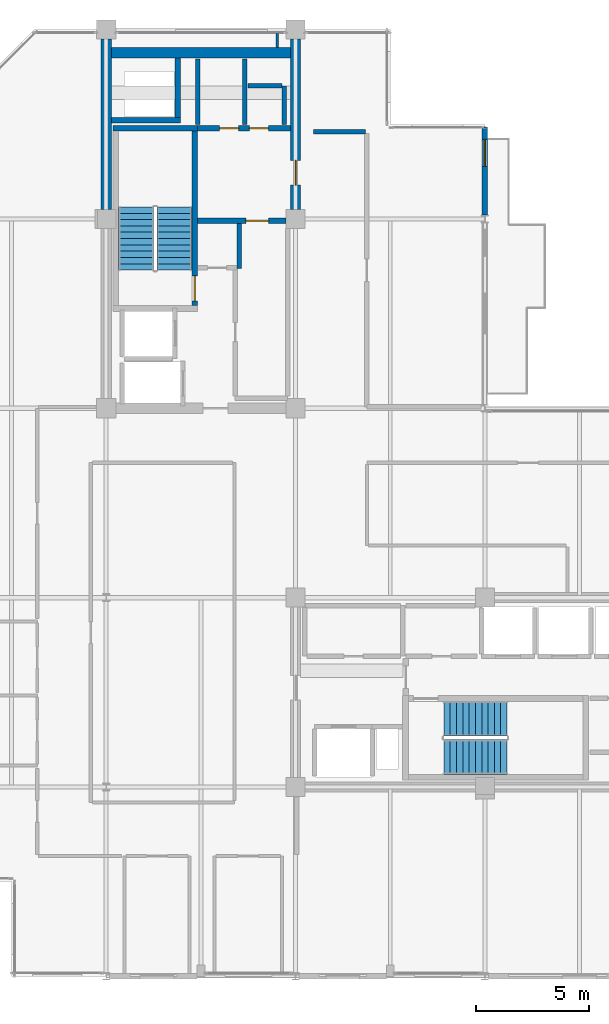
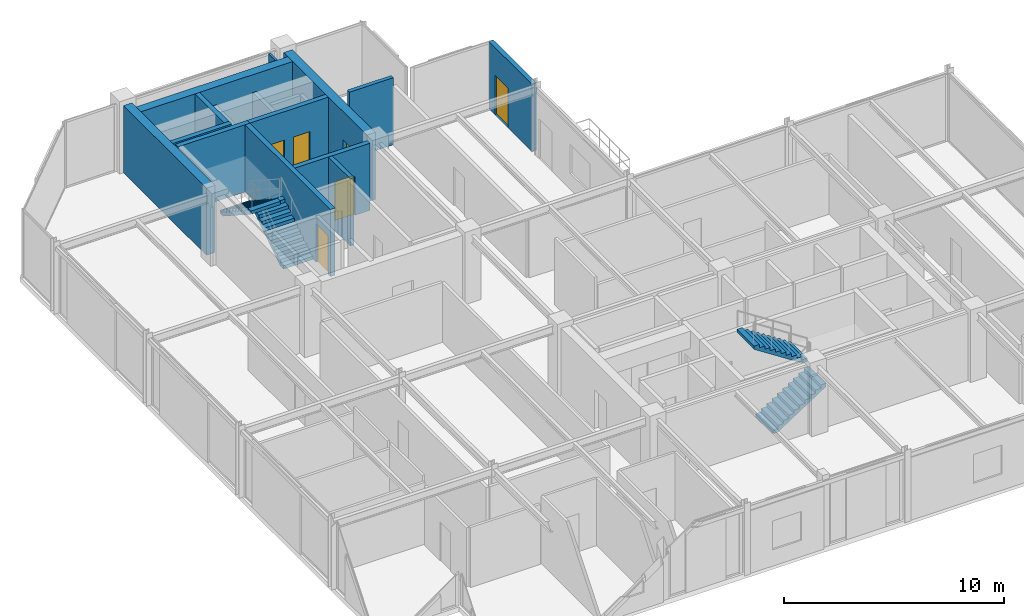
# One storey, part 23 of 26: 17 walls, 6 doors, 4 stair flights, 6 openings, 2 elements without a shape of their own.
"""IFC4 building model written with IfcOpenShell, lengths in metres."""

from ifc_helpers import new_model, si_unit, direction, frame, frame_2d, origin, place, context, subcontext, project, spatial, polyline, rectangle, outline, extrude, material, layer, layer_set, type_object, element, fill, aggregate, save


model = new_model("IFC4")

# Units and contexts
model_context = context("Model", 3, precision=1e-05, world=origin(), true_north=direction((0.0, 1.0)))
body_context = subcontext(model_context, "Body", "Model", "MODEL_VIEW")
ifc_project = project(units=[si_unit("LENGTHUNIT", "METRE"), si_unit("AREAUNIT", "SQUARE_METRE"), si_unit("VOLUMEUNIT", "CUBIC_METRE"), si_unit("PLANEANGLEUNIT", "RADIAN"), si_unit("MASSUNIT", "GRAM", prefix="KILO")], contexts=[model_context])

# Site, building, storey
site_placement = place(None, origin())
site = spatial("IfcSite", under=ifc_project, at=site_placement, CompositionType="ELEMENT")
building_placement = place(site_placement, origin())
building = spatial("IfcBuilding", under=site, at=building_placement, Name="Nerrivon Quay Data Exchange", CompositionType="ELEMENT")
storey_placement = place(building_placement, frame((0.0, 0.0, 274.199951171875)))
storey = spatial("IfcBuildingStorey", under=building, at=storey_placement, Name="L65", CompositionType="ELEMENT", Elevation=274.199951171875)

# Wall, opening, door
ifc_material_1 = material(Name="Architectural terracotta precast concrete N50 (50 MPa)", Category="masonry")
ifc_layer_1 = layer(ifc_material_1, 0.239990234375)
ifc_layer_set_1 = layer_set([ifc_layer_1], Name="Architectural terracotta precast concrete N50 (50 MPa)")
wall_type_1 = type_object("IfcWallType", Name="EW-PREC-240", PredefinedType="STANDARD", material=ifc_layer_set_1)
wall_1_placement = place(storey_placement, frame((25.199951171875, 37.679931640625, 0.0), z_axis=(0.0, 0.0, 1.0), x_axis=(0.0, -1.0, 0.0)))
wall_1 = element("IfcWall", 1, at=wall_1_placement, inside=storey, type_object=wall_type_1, Name="L65 Terrace Host Wall 22", PredefinedType="STANDARD", context=body_context, shape_type="SweptSolid", body=[
    extrude(rectangle(XDim=3.91650390625, YDim=0.239990234375, at=frame_2d((1.958251953125, 0.0))), origin(), (0.0, 0.0, 1.0), 3.72509765625),
])
opening_1_placement = place(wall_1_placement, frame((0.550048828125, 0.0, 0.0)))
opening_1 = element("IfcOpeningElement", 2, at=opening_1_placement, cuts=wall_1, Name="Opening TD1", PredefinedType="OPENING", context=body_context, shape_type="SweptSolid", body=[
    extrude(rectangle(XDim=1.199951171875, YDim=2.199951171875, at=frame_2d((0.60009765625, 1.10009765625))), frame((0.0, 0.1298828125, 0.0), z_axis=(0.0, -1.0, 0.0), x_axis=(1.0, 0.0, 0.0)), (0.0, 0.0, 1.0), 0.260009765625),
])
ifc_material_2 = material(Name="Double-glazed low-E solar control glass", Category="glass")
door_type_1 = type_object("IfcDoorType", Name="DR-TERR-1200x2200", OperationType="NOTDEFINED", PredefinedType="DOOR", material=ifc_material_2)
door_1_placement = place(opening_1_placement, origin())
door_1 = element("IfcDoor", 3, at=door_1_placement, inside=storey, type_object=door_type_1, Name="L65 Outdoor Terrace Access Door 22", OperationType="SINGLE_SWING_LEFT", OverallHeight=2.199951171875, OverallWidth=1.199951171875, PredefinedType="DOOR", context=body_context, shape_type="SweptSolid", body=[
    extrude(rectangle(XDim=1.199951171875, YDim=2.199951171875, at=frame_2d((0.60009765625, 1.10009765625))), frame((0.0, 0.02490234375, 0.0), z_axis=(0.0, -1.0, 0.0), x_axis=(1.0, 0.0, 0.0)), (0.0, 0.0, 1.0), 0.050048828125),
])
fill(opening_1, door_1)

# Walls
ifc_material_3 = material(Name="Concrete N50 (50 MPa)", Category="concrete")
ifc_layer_2 = layer(ifc_material_3, 0.449951171875)
ifc_layer_set_2 = layer_set([ifc_layer_2], Name="Concrete N50 (50 MPa)")
wall_type_2 = type_object("IfcWallType", Name="WALL-CW-550", PredefinedType="SHEAR", material=ifc_layer_set_2)
wall_2_placement = place(storey_placement, frame((8.39990234375, 34.02490234375, 0.0), z_axis=(0.0, 0.0, 1.0), x_axis=(0.0, 1.0, 0.0)))
element("IfcWall", 4, at=wall_2_placement, inside=storey, type_object=wall_type_2, Name="L65 West Split-Core Shear Wall WCW-W2", PredefinedType="SHEAR", context=body_context, shape_type="SweptSolid", body=[
    extrude(rectangle(XDim=7.550048828125, YDim=0.449951171875, at=frame_2d((3.77490234375, 0.0))), origin(), (0.0, 0.0, 1.0), 3.72509765625),
])
wall_3_placement = place(storey_placement, frame((8.625, 40.97509765625, 0.0), z_axis=(0.0, 0.0, 1.0), x_axis=(1.0, 0.0, 0.0)))
element("IfcWall", 5, at=wall_3_placement, inside=storey, type_object=wall_type_2, Name="L65 West Split-Core Shear Wall WCW-N1", PredefinedType="SHEAR", context=body_context, shape_type="SweptSolid", body=[
    extrude(rectangle(XDim=7.949951171875, YDim=0.449951171875, at=frame_2d((3.97509765625, 0.0))), origin(), (0.0, 0.0, 1.0), 3.72509765625),
])

# Wall, opening, door
wall_4_placement = place(storey_placement, frame((16.800048828125, 34.02490234375, 0.0), z_axis=(0.0, 0.0, 1.0), x_axis=(0.0, 1.0, 0.0)))
wall_4 = element("IfcWall", 6, at=wall_4_placement, inside=storey, type_object=wall_type_2, Name="L65 West Split-Core Shear Wall WCW-E1", PredefinedType="SHEAR", context=body_context, shape_type="SweptSolid", body=[
    extrude(rectangle(XDim=7.550048828125, YDim=0.449951171875, at=frame_2d((3.77490234375, 0.0))), origin(), (0.0, 0.0, 1.0), 3.72509765625),
])
opening_2_placement = place(wall_4_placement, frame((1.074951171875, 0.0, 0.0)))
opening_2 = element("IfcOpeningElement", 7, at=opening_2_placement, cuts=wall_4, Name="Opening FD-120", PredefinedType="OPENING", context=body_context, shape_type="SweptSolid", body=[
    extrude(rectangle(XDim=1.10009765625, YDim=2.14990234375, at=frame_2d((0.550048828125, 1.074951171875))), frame((0.0, 0.23486328125, 0.0), z_axis=(0.0, -1.0, 0.0), x_axis=(1.0, 0.0, 0.0)), (0.0, 0.0, 1.0), 0.469970703125),
])
ifc_material_4 = material(Name="Powder-coated galvanized steel sheet", Category="steel")
door_type_2 = type_object("IfcDoorType", Name="DR-FD120-1100", OperationType="NOTDEFINED", PredefinedType="DOOR", material=ifc_material_4)
door_2_placement = place(opening_2_placement, origin())
door_2 = element("IfcDoor", 8, at=door_2_placement, inside=storey, type_object=door_type_2, Name="L65 West Core Lobby Fire Door", OperationType="SINGLE_SWING_LEFT", OverallHeight=2.14990234375, OverallWidth=1.10009765625, PredefinedType="DOOR", context=body_context, shape_type="SweptSolid", body=[
    extrude(rectangle(XDim=1.10009765625, YDim=2.14990234375, at=frame_2d((0.550048828125, 1.074951171875))), frame((0.0, 0.02490234375, 0.0), z_axis=(0.0, -1.0, 0.0), x_axis=(1.0, 0.0, 0.0)), (0.0, 0.0, 1.0), 0.050048828125),
])
fill(opening_2, door_2)

# Walls
ifc_material_5 = material(Name="Gypsum plasterboard on cold-formed framing", Category="gypsum")
ifc_layer_3 = layer(ifc_material_5, 0.199951171875)
ifc_layer_set_3 = layer_set([ifc_layer_3], Name="Gypsum plasterboard on cold-formed framing")
wall_type_3 = type_object("IfcWallType", Name="WALL-FW-200", PredefinedType="PARTITIONING", material=ifc_layer_set_3)
wall_5_placement = place(storey_placement, frame((14.300048828125, 33.39111328125, 0.0), z_axis=(0.0, 0.0, 1.0), x_axis=(0.0, -1.0, 0.0)))
element("IfcWall", 9, at=wall_5_placement, inside=storey, type_object=wall_type_3, Name="L65 Partition Core Equipment Store", PredefinedType="PARTITIONING", context=body_context, shape_type="SweptSolid", body=[
    extrude(rectangle(XDim=1.9912109375, YDim=0.199951171875, at=frame_2d((0.99560546875, 0.0))), origin(), (0.0, 0.0, 1.0), 3.72509765625),
])
for number, where, z_axis, x_axis, name in (
    (10, (14.550048828125, 37.780029296875, 0.0), (0.0, 0.0, 1.0), (0.0, 1.0, 0.0), "L65 Partition Electrical Switchboard Closet"),
    (11, (12.449951171875, 40.699951171875, 0.0), (0.0, 0.0, 1.0), (0.0, -1.0, 0.0), "L65 Partition Electrical Switchboard Closet"),
):
    element("IfcWall", number, at=place(storey_placement, frame(where, z_axis=z_axis, x_axis=x_axis)), inside=storey, type_object=wall_type_3, Name=name, PredefinedType="PARTITIONING", context=body_context, shape_type="SweptSolid", body=[
        extrude(rectangle(XDim=2.919921875, YDim=0.199951171875, at=frame_2d((1.4599609375, 0.0))), origin(), (0.0, 0.0, 1.0), 2.775146484375),
    ])
wall_6_placement = place(storey_placement, frame((16.300048828125, 37.780029296875, 0.0), z_axis=(0.0, 0.0, 1.0), x_axis=(0.0, 1.0, 0.0)))
element("IfcWall", 12, at=wall_6_placement, inside=storey, type_object=wall_type_3, Name="L65 Partition Janitor Closet", PredefinedType="PARTITIONING", context=body_context, shape_type="SweptSolid", body=[
    extrude(rectangle(XDim=1.719970703125, YDim=0.199951171875, at=frame_2d((0.85986328125, 0.0))), origin(), (0.0, 0.0, 1.0), 2.775146484375),
])
wall_7_placement = place(storey_placement, frame((16.196044921875, 39.5, 0.0), z_axis=(0.0, 0.0, 1.0), x_axis=(-1.0, 0.0, 0.0)))
element("IfcWall", 13, at=wall_7_placement, inside=storey, type_object=wall_type_3, Name="L65 Partition Janitor Closet", PredefinedType="PARTITIONING", context=body_context, shape_type="SweptSolid", body=[
    extrude(rectangle(XDim=1.506103515625, YDim=0.199951171875, at=frame_2d((0.7529296875, 0.0))), origin(), (0.0, 0.0, 1.0), 2.775146484375),
])
wall_8_placement = place(storey_placement, frame((17.60009765625, 37.4599609375, 0.0), z_axis=(0.0, 0.0, 1.0), x_axis=(1.0, 0.0, 0.0)))
element("IfcWall", 14, at=wall_8_placement, inside=storey, type_object=wall_type_3, Name="L65 Partition Colocation Data Workspace 1", PredefinedType="PARTITIONING", context=body_context, shape_type="SweptSolid", body=[
    extrude(rectangle(XDim=2.2998046875, YDim=0.199951171875, at=frame_2d((1.14990234375, 0.0))), origin(), (0.0, 0.0, 1.0), 3.72509765625),
])
ifc_layer_4 = layer(ifc_material_5, 0.1201171875)
ifc_layer_set_4 = layer_set([ifc_layer_4], Name="Gypsum plasterboard on cold-formed framing")
wall_type_4 = type_object("IfcWallType", Name="WALL-PT-120", PredefinedType="PARTITIONING", material=ifc_layer_set_4)
wall_9_placement = place(storey_placement, frame((15.98388671875, 41.2041015625, 0.0), z_axis=(0.0, 0.0, 1.0), x_axis=(0.0, 1.0, 0.0)))
element("IfcWall", 15, at=wall_9_placement, inside=storey, type_object=wall_type_4, Name="L65 Partition Technical Library", PredefinedType="PARTITIONING", context=body_context, shape_type="SweptSolid", body=[
    extrude(rectangle(XDim=0.626953125, YDim=0.1201171875, at=frame_2d((0.3134765625, 0.0))), origin(), (0.0, 0.0, 1.0), 3.72509765625),
])
ifc_layer_5 = layer(ifc_material_3, 0.25)
ifc_layer_set_5 = layer_set([ifc_layer_5], Name="Concrete N50 (50 MPa)")
wall_type_5 = type_object("IfcWallType", Name="WALL-SW-250", PredefinedType="SHEAR", material=ifc_layer_set_5)
wall_10_placement = place(storey_placement, frame((12.449951171875, 37.625, 0.0), z_axis=(0.0, 0.0, 1.0), x_axis=(-1.0, 0.0, 0.0)))
element("IfcWall", 16, at=wall_10_placement, inside=storey, type_object=wall_type_5, Name="L65 ST01 Structural Stair Core Wall FAR", PredefinedType="SHEAR", context=body_context, shape_type="SweptSolid", body=[
    extrude(rectangle(XDim=3.75, YDim=0.25, at=frame_2d((1.875, 0.0))), origin(), (0.0, 0.0, 1.0), 3.72509765625),
])

# Wall, opening, door
wall_11_placement = place(storey_placement, frame((12.324951171875, 29.75, 0.0), z_axis=(0.0, 0.0, 1.0), x_axis=(0.0, 1.0, 0.0)))
wall_11 = element("IfcWall", 17, at=wall_11_placement, inside=storey, type_object=wall_type_5, Name="L65 ST01 Structural Stair Core Wall LEFT", PredefinedType="SHEAR", context=body_context, shape_type="SweptSolid", body=[
    extrude(rectangle(XDim=7.75, YDim=0.25, at=frame_2d((3.875, 0.0))), origin(), (0.0, 0.0, 1.0), 3.72509765625),
])
opening_3_placement = place(wall_11_placement, frame((0.219970703125, 0.0, 0.0)))
opening_3 = element("IfcOpeningElement", 18, at=opening_3_placement, cuts=wall_11, Name="Opening FD-120", PredefinedType="OPENING", context=body_context, shape_type="SweptSolid", body=[
    extrude(rectangle(XDim=1.10009765625, YDim=2.14990234375, at=frame_2d((0.550048828125, 1.074951171875))), frame((0.0, 0.135009765625, 0.0), z_axis=(0.0, -1.0, 0.0), x_axis=(1.0, 0.0, 0.0)), (0.0, 0.0, 1.0), 0.27001953125),
])
door_3_placement = place(opening_3_placement, origin())
door_3 = element("IfcDoor", 19, at=door_3_placement, inside=storey, type_object=door_type_2, Name="L65 Protected Stair Door ST01", OperationType="SINGLE_SWING_LEFT", OverallHeight=2.14990234375, OverallWidth=1.10009765625, PredefinedType="DOOR", context=body_context, shape_type="SweptSolid", body=[
    extrude(rectangle(XDim=1.10009765625, YDim=2.14990234375, at=frame_2d((0.550048828125, 1.074951171875))), frame((0.0, 0.02490234375, 0.0), z_axis=(0.0, -1.0, 0.0), x_axis=(1.0, 0.0, 0.0)), (0.0, 0.0, 1.0), 0.050048828125),
])
fill(opening_3, door_3)

# Walls
wall_12_placement = place(storey_placement, frame((8.625, 37.97509765625, 0.0), z_axis=(0.0, 0.0, 1.0), x_axis=(1.0, 0.0, 0.0)))
element("IfcWall", 20, at=wall_12_placement, inside=storey, type_object=wall_type_5, Name="L65 West Core MEP Riser Shaft Wall S", PredefinedType="SHEAR", context=body_context, shape_type="SweptSolid", body=[
    extrude(rectangle(XDim=3.074951171875, YDim=0.25, at=frame_2d((1.53759765625, 0.0))), origin(), (0.0, 0.0, 1.0), 3.72509765625),
])
wall_13_placement = place(storey_placement, frame((11.574951171875, 38.10009765625, 0.0), z_axis=(0.0, 0.0, 1.0), x_axis=(0.0, 1.0, 0.0)))
element("IfcWall", 21, at=wall_13_placement, inside=storey, type_object=wall_type_5, Name="L65 West Core MEP Riser Shaft Wall E", PredefinedType="SHEAR", context=body_context, shape_type="SweptSolid", body=[
    extrude(rectangle(XDim=2.64990234375, YDim=0.25, at=frame_2d((1.324951171875, 0.0))), origin(), (0.0, 0.0, 1.0), 3.72509765625),
])

# Wall, opening, door
wall_14_placement = place(storey_placement, frame((12.449951171875, 33.52001953125, 0.0), z_axis=(0.0, 0.0, 1.0), x_axis=(1.0, 0.0, 0.0)))
wall_14 = element("IfcWall", 22, at=wall_14_placement, inside=storey, type_object=wall_type_5, Name="L65 West Lobby Smoke-Stop Wall", PredefinedType="SHEAR", context=body_context, shape_type="SweptSolid", body=[
    extrude(rectangle(XDim=3.925048828125, YDim=0.25, at=frame_2d((1.96240234375, 0.0))), origin(), (0.0, 0.0, 1.0), 3.72509765625),
])
opening_4_placement = place(wall_14_placement, frame((2.14990234375, 0.0, 0.0)))
opening_4 = element("IfcOpeningElement", 23, at=opening_4_placement, cuts=wall_14, Name="Opening FD-60", PredefinedType="OPENING", context=body_context, shape_type="SweptSolid", body=[
    extrude(rectangle(XDim=1.0, YDim=2.14990234375, at=frame_2d((0.5, 1.074951171875))), frame((0.0, 0.135009765625, 0.0), z_axis=(0.0, -1.0, 0.0), x_axis=(1.0, 0.0, 0.0)), (0.0, 0.0, 1.0), 0.27001953125),
])
ifc_material_6 = material(Name="Engineered hardwood timber", Category="wood")
door_type_3 = type_object("IfcDoorType", Name="DR-FD60-1000", OperationType="NOTDEFINED", PredefinedType="DOOR", material=ifc_material_6)
door_4_placement = place(opening_4_placement, origin())
door_4 = element("IfcDoor", 24, at=door_4_placement, inside=storey, type_object=door_type_3, Name="L65 West Firefighting Lobby Fire Door", OperationType="SINGLE_SWING_LEFT", OverallHeight=2.14990234375, OverallWidth=1.0, PredefinedType="DOOR", context=body_context, shape_type="SweptSolid", body=[
    extrude(rectangle(XDim=1.0, YDim=2.14990234375, at=frame_2d((0.5, 1.074951171875))), frame((0.0, 0.02490234375, 0.0), z_axis=(0.0, -1.0, 0.0), x_axis=(1.0, 0.0, 0.0)), (0.0, 0.0, 1.0), 0.050048828125),
])
fill(opening_4, door_4)

# Wall, openings, doors
wall_15_placement = place(storey_placement, frame((12.449951171875, 37.625, 0.0), z_axis=(0.0, 0.0, 1.0), x_axis=(1.0, 0.0, 0.0)))
wall_15 = element("IfcWall", 25, at=wall_15_placement, inside=storey, type_object=wall_type_5, Name="L65 West Firefighting Lobby Wall", PredefinedType="SHEAR", context=body_context, shape_type="SweptSolid", body=[
    extrude(rectangle(XDim=4.125, YDim=0.25, at=frame_2d((2.0625, 0.0))), origin(), (0.0, 0.0, 1.0), 3.72509765625),
])
opening_5_placement = place(wall_15_placement, frame((0.9775390625, 0.0, 0.0)))
opening_5 = element("IfcOpeningElement", 26, at=opening_5_placement, cuts=wall_15, Name="Opening FD-60S", PredefinedType="OPENING", context=body_context, shape_type="SweptSolid", body=[
    extrude(rectangle(XDim=0.85009765625, YDim=2.14990234375, at=frame_2d((0.425048828125, 1.074951171875))), frame((0.0, 0.135009765625, 0.0), z_axis=(0.0, -1.0, 0.0), x_axis=(1.0, 0.0, 0.0)), (0.0, 0.0, 1.0), 0.27001953125),
])
opening_6_placement = place(wall_15_placement, frame((2.297607421875, 0.0, 0.0)))
opening_6 = element("IfcOpeningElement", 27, at=opening_6_placement, cuts=wall_15, Name="Opening FD-60S", PredefinedType="OPENING", context=body_context, shape_type="SweptSolid", body=[
    extrude(rectangle(XDim=0.85009765625, YDim=2.14990234375, at=frame_2d((0.425048828125, 1.074951171875))), frame((0.0, 0.135009765625, 0.0), z_axis=(0.0, -1.0, 0.0), x_axis=(1.0, 0.0, 0.0)), (0.0, 0.0, 1.0), 0.27001953125),
])
door_type_4 = type_object("IfcDoorType", Name="DR-FD60-850", OperationType="NOTDEFINED", PredefinedType="DOOR", material=ifc_material_6)
door_5_placement = place(opening_5_placement, origin())
door_5 = element("IfcDoor", 28, at=door_5_placement, inside=storey, type_object=door_type_4, Name="L65 Door Electrical Switchboard Closet", OperationType="SINGLE_SWING_LEFT", OverallHeight=2.14990234375, OverallWidth=0.85009765625, PredefinedType="DOOR", context=body_context, shape_type="SweptSolid", body=[
    extrude(rectangle(XDim=0.85009765625, YDim=2.14990234375, at=frame_2d((0.425048828125, 1.074951171875))), frame((0.0, 0.02490234375, 0.0), z_axis=(0.0, -1.0, 0.0), x_axis=(1.0, 0.0, 0.0)), (0.0, 0.0, 1.0), 0.050048828125),
])
fill(opening_5, door_5)
door_6_placement = place(opening_6_placement, origin())
door_6 = element("IfcDoor", 29, at=door_6_placement, inside=storey, type_object=door_type_4, Name="L65 Door Janitor Closet", OperationType="SINGLE_SWING_RIGHT", OverallHeight=2.14990234375, OverallWidth=0.85009765625, PredefinedType="DOOR", context=body_context, shape_type="SweptSolid", body=[
    extrude(rectangle(XDim=0.85009765625, YDim=2.14990234375, at=frame_2d((0.425048828125, 1.074951171875))), frame((0.0, 0.02490234375, 0.0), z_axis=(0.0, -1.0, 0.0), x_axis=(1.0, 0.0, 0.0)), (0.0, 0.0, 1.0), 0.050048828125),
])
fill(opening_6, door_6)

# Stair, stair flights
stair_type = type_object("IfcStairType", Name="STAIR-DOG-40", PredefinedType="HALF_TURN_STAIR", material=ifc_material_3)
stair_1_placement = place(storey_placement, origin())
stair_1 = element("IfcStair", 30, at=stair_1_placement, inside=storey, type_object=stair_type, Name="L65 West Core Fire Stair ST01", PredefinedType="HALF_TURN_STAIR")
stair_flight_type = type_object("IfcStairFlightType", Name="FLIGHT-DOG-40", PredefinedType="STRAIGHT", material=ifc_material_3)
stair_flight_1_placement = place(storey_placement, frame((11.425048828125, 31.330078125, 0.0), z_axis=(0.0, 0.0, 1.0), x_axis=(0.0, 1.0, 0.0)))
stair_flight_1 = element("IfcStairFlight", 31, at=stair_flight_1_placement, type_object=stair_flight_type, Name="ST01 flight 1", NumberOfRisers=11, NumberOfTreads=10, PredefinedType="STRAIGHT", RiserHeight=0.181818182, TreadLength=0.28, context=body_context, shape_type="SweptSolid", body=[
    extrude(outline(polyline([(0.0, 0.0), (0.0, 0.181884765625), (0.280029296875, 0.181884765625), (0.280029296875, 0.363525390625), (0.56005859375, 0.363525390625), (0.56005859375, 0.54541015625), (0.840087890625, 0.54541015625), (0.840087890625, 0.727294921875), (1.1201171875, 0.727294921875), (1.1201171875, 0.9091796875), (1.39990234375, 0.9091796875), (1.39990234375, 1.0908203125), (1.679931640625, 1.0908203125), (1.679931640625, 1.272705078125), (1.9599609375, 1.272705078125), (1.9599609375, 1.45458984375), (2.239990234375, 1.45458984375), (2.239990234375, 1.636474609375), (2.52001953125, 1.636474609375), (2.52001953125, 1.818115234375), (2.800048828125, 1.818115234375), (2.800048828125, 2.0), (2.800048828125, 1.639404296875), (0.275146484375, 0.0), (0.0, 0.0)])), frame((0.0, 0.77490234375, 0.0), z_axis=(0.0, -1.0, 0.0), x_axis=(1.0, 0.0, 0.0)), (0.0, 0.0, 1.0), 1.550048828125),
])
stair_flight_2_placement = place(storey_placement, frame((9.72509765625, 34.1298828125, 2.0), z_axis=(0.0, 0.0, 1.0), x_axis=(0.0, -1.0, 0.0)))
stair_flight_2 = element("IfcStairFlight", 32, at=stair_flight_2_placement, type_object=stair_flight_type, Name="ST01 flight 2", NumberOfRisers=11, NumberOfTreads=10, PredefinedType="STRAIGHT", RiserHeight=0.181818182, TreadLength=0.28, context=body_context, shape_type="SweptSolid", body=[
    extrude(outline(polyline([(0.0, 0.0), (0.0, 0.181884765625), (0.280029296875, 0.181884765625), (0.280029296875, 0.363525390625), (0.56005859375, 0.363525390625), (0.56005859375, 0.54541015625), (0.840087890625, 0.54541015625), (0.840087890625, 0.727294921875), (1.1201171875, 0.727294921875), (1.1201171875, 0.9091796875), (1.39990234375, 0.9091796875), (1.39990234375, 1.0908203125), (1.679931640625, 1.0908203125), (1.679931640625, 1.272705078125), (1.9599609375, 1.272705078125), (1.9599609375, 1.45458984375), (2.239990234375, 1.45458984375), (2.239990234375, 1.636474609375), (2.52001953125, 1.636474609375), (2.52001953125, 1.818115234375), (2.800048828125, 1.818115234375), (2.800048828125, 2.0), (2.800048828125, 1.639404296875), (0.275146484375, 0.0), (0.0, 0.0)])), frame((0.0, 0.77490234375, 0.0), z_axis=(0.0, -1.0, 0.0), x_axis=(1.0, 0.0, 0.0)), (0.0, 0.0, 1.0), 1.550048828125),
])
aggregate(stair_1, [stair_flight_1, stair_flight_2])

stair_2_placement = place(storey_placement, origin())
stair_2 = element("IfcStair", 33, at=stair_2_placement, inside=storey, type_object=stair_type, Name="L65 East Core Fire Stair ST02", PredefinedType="HALF_TURN_STAIR")
stair_flight_3_placement = place(storey_placement, frame((23.3798828125, 9.72509765625, 0.0), z_axis=(0.0, 0.0, 1.0), x_axis=(1.0, 0.0, 0.0)))
stair_flight_3 = element("IfcStairFlight", 34, at=stair_flight_3_placement, type_object=stair_flight_type, Name="ST02 flight 1", NumberOfRisers=11, NumberOfTreads=10, PredefinedType="STRAIGHT", RiserHeight=0.181818182, TreadLength=0.28, context=body_context, shape_type="SweptSolid", body=[
    extrude(outline(polyline([(0.0, 0.0), (0.0, 0.181884765625), (0.280029296875, 0.181884765625), (0.280029296875, 0.363525390625), (0.56005859375, 0.363525390625), (0.56005859375, 0.54541015625), (0.840087890625, 0.54541015625), (0.840087890625, 0.727294921875), (1.1201171875, 0.727294921875), (1.1201171875, 0.9091796875), (1.39990234375, 0.9091796875), (1.39990234375, 1.0908203125), (1.679931640625, 1.0908203125), (1.679931640625, 1.272705078125), (1.9599609375, 1.272705078125), (1.9599609375, 1.45458984375), (2.239990234375, 1.45458984375), (2.239990234375, 1.636474609375), (2.52001953125, 1.636474609375), (2.52001953125, 1.818115234375), (2.800048828125, 1.818115234375), (2.800048828125, 2.0), (2.800048828125, 1.639404296875), (0.275146484375, 0.0), (0.0, 0.0)])), frame((0.0, 0.77490234375, 0.0), z_axis=(0.0, -1.0, 0.0), x_axis=(1.0, 0.0, 0.0)), (0.0, 0.0, 1.0), 1.550048828125),
])
stair_flight_4_placement = place(storey_placement, frame((26.179931640625, 11.425048828125, 2.0), z_axis=(0.0, 0.0, 1.0), x_axis=(-1.0, 0.0, 0.0)))
stair_flight_4 = element("IfcStairFlight", 35, at=stair_flight_4_placement, type_object=stair_flight_type, Name="ST02 flight 2", NumberOfRisers=11, NumberOfTreads=10, PredefinedType="STRAIGHT", RiserHeight=0.181818182, TreadLength=0.28, context=body_context, shape_type="SweptSolid", body=[
    extrude(outline(polyline([(0.0, 0.0), (0.0, 0.181884765625), (0.280029296875, 0.181884765625), (0.280029296875, 0.363525390625), (0.56005859375, 0.363525390625), (0.56005859375, 0.54541015625), (0.840087890625, 0.54541015625), (0.840087890625, 0.727294921875), (1.1201171875, 0.727294921875), (1.1201171875, 0.9091796875), (1.39990234375, 0.9091796875), (1.39990234375, 1.0908203125), (1.679931640625, 1.0908203125), (1.679931640625, 1.272705078125), (1.9599609375, 1.272705078125), (1.9599609375, 1.45458984375), (2.239990234375, 1.45458984375), (2.239990234375, 1.636474609375), (2.52001953125, 1.636474609375), (2.52001953125, 1.818115234375), (2.800048828125, 1.818115234375), (2.800048828125, 2.0), (2.800048828125, 1.639404296875), (0.275146484375, 0.0), (0.0, 0.0)])), frame((0.0, 0.77490234375, 0.0), z_axis=(0.0, -1.0, 0.0), x_axis=(1.0, 0.0, 0.0)), (0.0, 0.0, 1.0), 1.550048828125),
])
aggregate(stair_2, [stair_flight_3, stair_flight_4])

save(model, "model.ifc")
